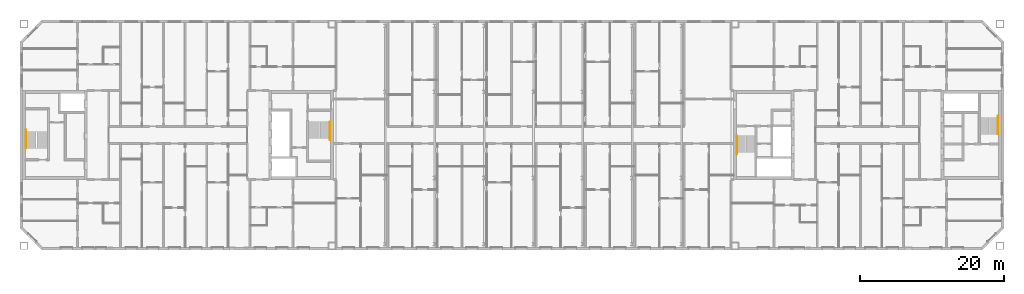
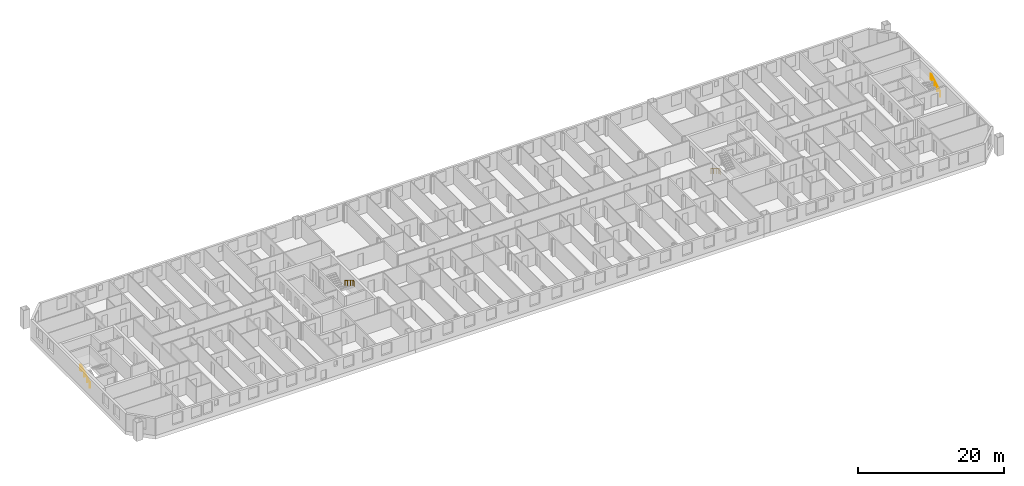
# One storey, part 19 of 19: 4 railings.
"""IFC4 building model written with IfcOpenShell, lengths in metres."""

from ifc_helpers import new_model, si_unit, direction, frame, origin, origin_2d, place, context, subcontext, project, spatial, circle, extrude, material, type_object, element, save


model = new_model("IFC4")

# Units and contexts
model_context = context("Model", 3, precision=1e-05, world=origin(), true_north=direction((0.0, 1.0)))
body_context = subcontext(model_context, "Body", "Model", "MODEL_VIEW")
ifc_project = project(units=[si_unit("LENGTHUNIT", "METRE"), si_unit("AREAUNIT", "SQUARE_METRE"), si_unit("VOLUMEUNIT", "CUBIC_METRE"), si_unit("PLANEANGLEUNIT", "RADIAN"), si_unit("MASSUNIT", "GRAM", prefix="KILO")], contexts=[model_context])

# Site, building, storey
site_placement = place(None, origin())
site = spatial("IfcSite", under=ifc_project, at=site_placement, CompositionType="ELEMENT")
building_placement = place(site_placement, origin())
building = spatial("IfcBuilding", under=site, at=building_placement, Name="Tuart Gate Housing", CompositionType="ELEMENT")
storey_placement = place(building_placement, frame((0.0, 0.0, 221.39990234375)))
storey = spatial("IfcBuildingStorey", under=building, at=storey_placement, Name="L62", CompositionType="ELEMENT", Elevation=221.39990234375)

# Railings
ifc_material = material(Name="Stainless steel", Category="steel")
railing_type = type_object("IfcRailingType", Name="Stair handrail 900", PredefinedType="HANDRAIL", material=ifc_material)
railing_1_placement = place(storey_placement, frame((75.179931640625, 71.824951171875, 0.17236328125)))
element("IfcRailing", 1, at=railing_1_placement, inside=storey, type_object=railing_type, Name="Stair handrail SA1.1", PredefinedType="HANDRAIL", context=body_context, shape_type="SweptSolid", body=[
    extrude(circle(Radius=0.02392578125, at=origin_2d()), frame((0.0, 0.0, 0.8759765625), z_axis=(0.0, -0.85178898068, 0.523885037382), x_axis=(1.0, 0.0, 0.0)), (0.0, 0.0, 1.0), 2.629638671875),
    extrude(circle(Radius=0.02392578125, at=origin_2d()), frame((0.0, -2.239990234375, 2.25341796875), z_axis=(0.0, -1.0, 0.0), x_axis=(1.0, 0.0, 0.0)), (0.0, 0.0, 1.0), 0.300048828125),
    extrude(circle(Radius=0.02099609375, at=origin_2d()), origin(), (0.0, 0.0, 1.0), 0.851806640625),
    extrude(circle(Radius=0.02099609375, at=origin_2d()), frame((0.0, -0.74658203125, 0.459228515625)), (0.0, 0.0, 1.0), 0.851806640625),
    extrude(circle(Radius=0.02099609375, at=origin_2d()), frame((0.0, -1.493408203125, 0.91845703125)), (0.0, 0.0, 1.0), 0.851806640625),
    extrude(circle(Radius=0.02099609375, at=origin_2d()), frame((0.0, -2.239990234375, 1.377685546875)), (0.0, 0.0, 1.0), 0.851806640625),
    extrude(circle(Radius=0.02099609375, at=origin_2d()), frame((0.0, -2.5400390625, 1.377685546875)), (0.0, 0.0, 1.0), 0.851806640625),
])
railing_2_placement = place(storey_placement, frame((32.820068359375, 68.175048828125, 0.17236328125)))
element("IfcRailing", 2, at=railing_2_placement, inside=storey, type_object=railing_type, Name="Stair handrail SA2.1", PredefinedType="HANDRAIL", context=body_context, shape_type="SweptSolid", body=[
    extrude(circle(Radius=0.02392578125, at=origin_2d()), frame((0.0, 0.0, 0.8759765625), z_axis=(0.0, 0.85178898068, 0.523885037382), x_axis=(-1.0, 0.0, 0.0)), (0.0, 0.0, 1.0), 2.629638671875),
    extrude(circle(Radius=0.02392578125, at=origin_2d()), frame((0.0, 2.239990234375, 2.25341796875), z_axis=(0.0, 1.0, 0.0), x_axis=(-1.0, 0.0, 0.0)), (0.0, 0.0, 1.0), 0.300048828125),
    extrude(circle(Radius=0.02099609375, at=origin_2d()), origin(), (0.0, 0.0, 1.0), 0.851806640625),
    extrude(circle(Radius=0.02099609375, at=origin_2d()), frame((0.0, 0.74658203125, 0.459228515625)), (0.0, 0.0, 1.0), 0.851806640625),
    extrude(circle(Radius=0.02099609375, at=origin_2d()), frame((0.0, 1.493408203125, 0.91845703125)), (0.0, 0.0, 1.0), 0.851806640625),
    extrude(circle(Radius=0.02099609375, at=origin_2d()), frame((0.0, 2.239990234375, 1.377685546875)), (0.0, 0.0, 1.0), 0.851806640625),
    extrude(circle(Radius=0.02099609375, at=origin_2d()), frame((0.0, 2.5400390625, 1.377685546875)), (0.0, 0.0, 1.0), 0.851806640625),
])
railing_3_placement = place(storey_placement, frame((131.820068359375, 69.875, 0.17236328125)))
element("IfcRailing", 3, at=railing_3_placement, inside=storey, type_object=railing_type, Name="Stair handrail SB1.1", PredefinedType="HANDRAIL", context=body_context, shape_type="SweptSolid", body=[
    extrude(circle(Radius=0.02392578125, at=origin_2d()), frame((0.0, 0.0, 0.8759765625), z_axis=(0.0, -0.85178898068, 0.523885037382), x_axis=(1.0, 0.0, 0.0)), (0.0, 0.0, 1.0), 2.629638671875),
    extrude(circle(Radius=0.02392578125, at=origin_2d()), frame((0.0, -2.239990234375, 2.25341796875), z_axis=(0.0, -1.0, 0.0), x_axis=(1.0, 0.0, 0.0)), (0.0, 0.0, 1.0), 0.300048828125),
    extrude(circle(Radius=0.02099609375, at=origin_2d()), origin(), (0.0, 0.0, 1.0), 0.851806640625),
    extrude(circle(Radius=0.02099609375, at=origin_2d()), frame((0.0, -0.74658203125, 0.459228515625)), (0.0, 0.0, 1.0), 0.851806640625),
    extrude(circle(Radius=0.02099609375, at=origin_2d()), frame((0.0, -1.493408203125, 0.91845703125)), (0.0, 0.0, 1.0), 0.851806640625),
    extrude(circle(Radius=0.02099609375, at=origin_2d()), frame((0.0, -2.239990234375, 1.377685546875)), (0.0, 0.0, 1.0), 0.851806640625),
    extrude(circle(Radius=0.02099609375, at=origin_2d()), frame((0.0, -2.5400390625, 1.377685546875)), (0.0, 0.0, 1.0), 0.851806640625),
])
railing_4_placement = place(storey_placement, frame((168.179931640625, 70.125, 0.17236328125)))
element("IfcRailing", 4, at=railing_4_placement, inside=storey, type_object=railing_type, Name="Stair handrail SB2.1", PredefinedType="HANDRAIL", context=body_context, shape_type="SweptSolid", body=[
    extrude(circle(Radius=0.02392578125, at=origin_2d()), frame((0.0, 0.0, 0.8759765625), z_axis=(0.0, 0.85178898068, 0.523885037382), x_axis=(-1.0, 0.0, 0.0)), (0.0, 0.0, 1.0), 2.629638671875),
    extrude(circle(Radius=0.02392578125, at=origin_2d()), frame((0.0, 2.239990234375, 2.25341796875), z_axis=(0.0, 1.0, 0.0), x_axis=(-1.0, 0.0, 0.0)), (0.0, 0.0, 1.0), 0.300048828125),
    extrude(circle(Radius=0.02099609375, at=origin_2d()), origin(), (0.0, 0.0, 1.0), 0.851806640625),
    extrude(circle(Radius=0.02099609375, at=origin_2d()), frame((0.0, 0.74658203125, 0.459228515625)), (0.0, 0.0, 1.0), 0.851806640625),
    extrude(circle(Radius=0.02099609375, at=origin_2d()), frame((0.0, 1.493408203125, 0.91845703125)), (0.0, 0.0, 1.0), 0.851806640625),
    extrude(circle(Radius=0.02099609375, at=origin_2d()), frame((0.0, 2.239990234375, 1.377685546875)), (0.0, 0.0, 1.0), 0.851806640625),
    extrude(circle(Radius=0.02099609375, at=origin_2d()), frame((0.0, 2.5400390625, 1.377685546875)), (0.0, 0.0, 1.0), 0.851806640625),
])

save(model, "model.ifc")
